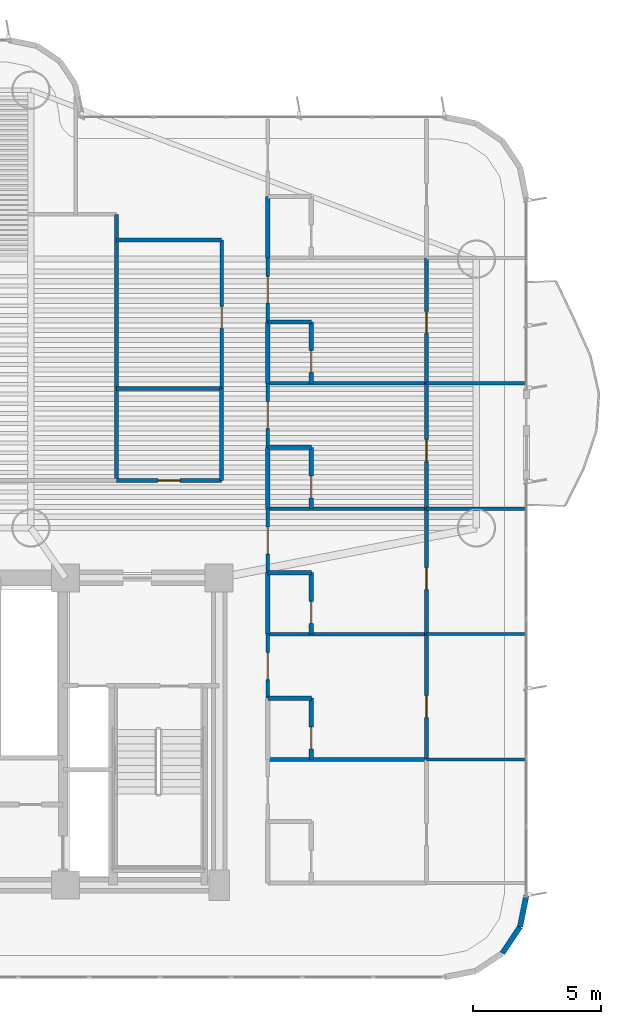
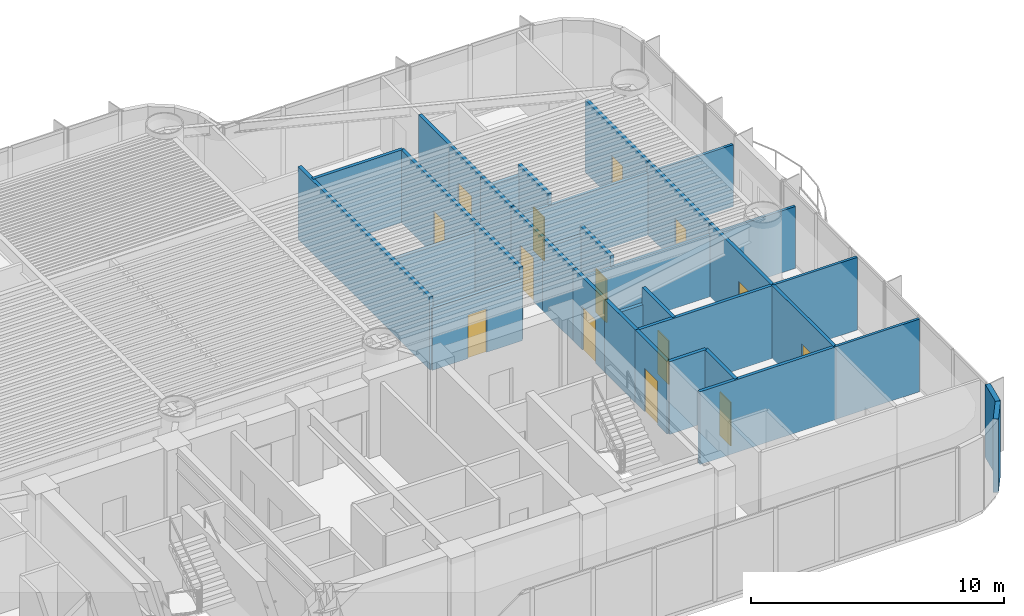
# One storey, part 13 of 19: 36 walls, 14 doors, 14 openings.
"""IFC4 building model written with IfcOpenShell, lengths in metres."""

from ifc_helpers import new_model, si_unit, direction, frame, frame_2d, origin, origin_2d, place, context, subcontext, project, spatial, rectangle, extrude, source, transform, mapped, material, layer, layer_set, type_object, element, fill, save


model = new_model("IFC4")

# Units and contexts
model_context = context("Model", 3, precision=1e-05, world=origin(), true_north=direction((0.0, 1.0)))
body_context = subcontext(model_context, "Body", "Model", "MODEL_VIEW")
ifc_project = project(units=[si_unit("LENGTHUNIT", "METRE"), si_unit("AREAUNIT", "SQUARE_METRE"), si_unit("VOLUMEUNIT", "CUBIC_METRE"), si_unit("PLANEANGLEUNIT", "RADIAN"), si_unit("MASSUNIT", "GRAM", prefix="KILO")], contexts=[model_context])

# Site, building, storey
site_placement = place(None, origin())
site = spatial("IfcSite", under=ifc_project, at=site_placement, CompositionType="ELEMENT")
building_placement = place(site_placement, origin())
building = spatial("IfcBuilding", under=site, at=building_placement, Name="Brelvock Crest Care Tower", CompositionType="ELEMENT")
storey_placement = place(building_placement, frame((0.0, 0.0, 64.800048828125)))
storey = spatial("IfcBuildingStorey", under=building, at=storey_placement, Name="L16", CompositionType="ELEMENT", Elevation=64.800048828125)

# Walls
ifc_material_1 = material(Name="Precast concrete N40 (40 MPa)", Category="concrete")
ifc_layer_1 = layer(ifc_material_1, 0.215087890625, Name="WL-EX2")
ifc_layer_set_1 = layer_set([ifc_layer_1], Name="Precast concrete N40 (40 MPa)")
wall_type_1 = type_object("IfcWallType", Name="WL-EX2", PredefinedType="SOLIDWALL", material=ifc_layer_set_1)
for number, where, z_axis, x_axis, name in (
    (1, (60.0, 5.60009765625, 0.0), (0.0, 0.0, 1.0), (-0.195138390419, -0.980775717779, 0.0), "L16 Rounded Corner Wall 04"),
    (2, (59.75634765625, 4.37548828125, 0.0), (0.0, 0.0, 1.0), (-0.555557312883, -0.831478245117, 0.0), "L16 Rounded Corner Wall 05"),
):
    element("IfcWall", number, at=place(storey_placement, frame(where, z_axis=z_axis, x_axis=x_axis)), inside=storey, type_object=wall_type_1, Name=name, PredefinedType="SOLIDWALL", context=body_context, shape_type="SweptSolid", body=[
        extrude(rectangle(XDim=1.24853515625, YDim=0.215087890625, at=frame_2d((0.624267578125, 0.0))), origin(), (0.0, 0.0, 1.0), 3.530029296875),
    ])
ifc_material_2 = material(Name="Masonry Blockwork Acoustic Partition", Category="masonry")
ifc_layer_2 = layer(ifc_material_2, 0.14990234375, Name="WL-INT1")
ifc_layer_set_2 = layer_set([ifc_layer_2], Name="Masonry Blockwork Acoustic Partition")
wall_type_2 = type_object("IfcWallType", Name="WL-INT1", PredefinedType="PARTITIONING", material=ifc_layer_set_2)
for number, where, z_axis, x_axis, name in (
    (3, (49.89990234375, 10.89990234375, 0.0), (0.0, 0.0, 1.0), (1.0, 0.0, 0.0), "L16 Interior Wall WL-BX-L16-CS-EC1-N"),
    (4, (49.89990234375, 15.800048828125, 0.0), (0.0, 0.0, 1.0), (1.0, 0.0, 0.0), "L16 Interior Wall WL-BX-L16-CS-EC2-N"),
):
    element("IfcWall", number, at=place(storey_placement, frame(where, z_axis=z_axis, x_axis=x_axis)), inside=storey, type_object=wall_type_2, Name=name, PredefinedType="PARTITIONING", context=body_context, shape_type="SweptSolid", body=[
        extrude(rectangle(XDim=6.2001953125, YDim=0.14990234375, at=frame_2d((3.10009765625, 0.0))), origin(), (0.0, 0.0, 1.0), 3.5),
    ])
for number, where, z_axis, x_axis, name in (
    (5, (49.89990234375, 20.699951171875, 0.0), (0.0, 0.0, 1.0), (1.0, 0.0, 0.0), "L16 Interior Wall WL-BX-L16-CS-EC3-N"),
    (6, (49.89990234375, 25.60009765625, 0.0), (0.0, 0.0, 1.0), (1.0, 0.0, 0.0), "L16 Interior Wall WL-BX-L16-CS-EC4-N"),
):
    element("IfcWall", number, at=place(storey_placement, frame(where, z_axis=z_axis, x_axis=x_axis)), inside=storey, type_object=wall_type_2, Name=name, PredefinedType="PARTITIONING", context=body_context, shape_type="SweptSolid", body=[
        extrude(rectangle(XDim=6.2001953125, YDim=0.14990234375, at=frame_2d((3.10009765625, 0.0))), origin(), (0.0, 0.0, 1.0), 2.98193359375),
    ])
wall_1_placement = place(storey_placement, frame((44.0, 31.199951171875, 0.0), z_axis=(0.0, 0.0, 1.0), x_axis=(1.0, 0.0, 0.0)))
element("IfcWall", 7, at=wall_1_placement, inside=storey, type_object=wall_type_2, Name="L16 Interior Wall WL-BX-L16-CKIT-N", PredefinedType="PARTITIONING", context=body_context, shape_type="SweptSolid", body=[
    extrude(rectangle(XDim=4.10009765625, YDim=0.14990234375, at=frame_2d((2.050048828125, 0.0))), origin(), (0.0, 0.0, 1.0), 3.5),
])

# Wall, opening, door
wall_2_placement = place(storey_placement, frame((48.10009765625, 25.39990234375, 0.0), z_axis=(0.0, 0.0, 1.0), x_axis=(0.0, 1.0, 0.0)))
wall_2 = element("IfcWall", 8, at=wall_2_placement, inside=storey, type_object=wall_type_2, Name="L16 Interior Wall WL-RM-L16-CKIT", PredefinedType="PARTITIONING", context=body_context, shape_type="SweptSolid", body=[
    extrude(rectangle(XDim=5.800048828125, YDim=0.14990234375, at=frame_2d((2.89990234375, 0.0))), origin(), (0.0, 0.0, 1.0), 3.5),
])
opening_1_placement = place(wall_2_placement, frame((2.340087890625, 0.0, 0.0)))
opening_1 = element("IfcOpeningElement", 9, at=opening_1_placement, cuts=wall_2, Name="Opening ID-1", PredefinedType="OPENING", context=body_context, shape_type="SweptSolid", body=[
    extrude(rectangle(XDim=0.860107421875, YDim=2.10009765625, at=origin_2d()), frame((0.43017578125, 0.0849609375, 1.050048828125), z_axis=(0.0, -1.0, 0.0), x_axis=(1.0, 0.0, 0.0)), (0.0, 0.0, 1.0), 0.169921875),
])
ifc_material_3 = material(Name="Engineered Hardwood Timber", Category="wood")
door_type_1 = type_object("IfcDoorType", Name="DR-INT1", OperationType="NOTDEFINED", PredefinedType="DOOR", material=ifc_material_3)
shared_shape_1 = source(origin(), body_context, "Body", "SweptSolid", [
    extrude(rectangle(XDim=0.860107421875, YDim=2.10009765625, at=origin_2d()), frame((0.43017578125, 0.02490234375, 1.050048828125), z_axis=(0.0, -1.0, 0.0), x_axis=(1.0, 0.0, 0.0)), (0.0, 0.0, 1.0), 0.050048828125),
])
door_1_placement = place(opening_1_placement, origin())
door_1 = element("IfcDoor", 10, at=door_1_placement, inside=storey, type_object=door_type_1, Name="L16 Neighbourhood Pantry Kitchen Door CKIT", OperationType="SINGLE_SWING_LEFT", OverallHeight=2.10009765625, OverallWidth=0.860107421875, PredefinedType="DOOR", context=body_context, shape_type="MappedRepresentation", body=[
    mapped(shared_shape_1, transform((0.0, 0.0, 0.0), x_axis=(1.0, 0.0, 0.0), y_axis=(0.0, 1.0, 0.0), z_axis=(0.0, 0.0, 1.0), scale=1.0)),
])
fill(opening_1, door_1)

wall_3_placement = place(storey_placement, frame((49.89990234375, 13.300048828125, 0.0), z_axis=(0.0, 0.0, 1.0), x_axis=(0.0, 1.0, 0.0)))
wall_3 = element("IfcWall", 11, at=wall_3_placement, inside=storey, type_object=wall_type_2, Name="L16 Interior Wall WL-CENT-L16-EC2", PredefinedType="PARTITIONING", context=body_context, shape_type="SweptSolid", body=[
    extrude(rectangle(XDim=2.5, YDim=0.14990234375, at=frame_2d((1.25, 0.0))), origin(), (0.0, 0.0, 1.0), 3.5),
])
opening_2_placement = place(wall_3_placement, frame((0.72998046875, 0.0, 0.0)))
opening_2 = element("IfcOpeningElement", 12, at=opening_2_placement, cuts=wall_3, Name="Opening CD-1", PredefinedType="OPENING", context=body_context, shape_type="SweptSolid", body=[
    extrude(rectangle(XDim=1.050048828125, YDim=2.10009765625, at=origin_2d()), frame((0.52490234375, 0.0849609375, 1.050048828125), z_axis=(0.0, -1.0, 0.0), x_axis=(1.0, 0.0, 0.0)), (0.0, 0.0, 1.0), 0.169921875),
])
door_type_2 = type_object("IfcDoorType", Name="DR-CARE1", OperationType="NOTDEFINED", PredefinedType="DOOR", material=ifc_material_3)
shared_shape_2 = source(origin(), body_context, "Body", "SweptSolid", [
    extrude(rectangle(XDim=1.050048828125, YDim=2.10009765625, at=origin_2d()), frame((0.52490234375, 0.02490234375, 1.050048828125), z_axis=(0.0, -1.0, 0.0), x_axis=(1.0, 0.0, 0.0)), (0.0, 0.0, 1.0), 0.050048828125),
])
door_2_placement = place(opening_2_placement, origin())
door_2 = element("IfcDoor", 13, at=door_2_placement, inside=storey, type_object=door_type_2, Name="L16 Care Suite Door EC2", OperationType="SINGLE_SWING_LEFT", OverallHeight=2.10009765625, OverallWidth=1.050048828125, PredefinedType="DOOR", context=body_context, shape_type="MappedRepresentation", body=[
    mapped(shared_shape_2, transform((0.0, 0.0, 0.0), x_axis=(1.0, 0.0, 0.0), y_axis=(0.0, 1.0, 0.0), z_axis=(0.0, 0.0, 1.0), scale=1.0)),
])
fill(opening_2, door_2)

wall_4_placement = place(storey_placement, frame((49.89990234375, 18.199951171875, 0.0), z_axis=(0.0, 0.0, 1.0), x_axis=(0.0, 1.0, 0.0)))
wall_4 = element("IfcWall", 14, at=wall_4_placement, inside=storey, type_object=wall_type_2, Name="L16 Interior Wall WL-CENT-L16-EC3", PredefinedType="PARTITIONING", context=body_context, shape_type="SweptSolid", body=[
    extrude(rectangle(XDim=2.5, YDim=0.14990234375, at=frame_2d((1.25, 0.0))), origin(), (0.0, 0.0, 1.0), 3.5),
])
opening_3_placement = place(wall_4_placement, frame((0.72998046875, 0.0, 0.0)))
opening_3 = element("IfcOpeningElement", 15, at=opening_3_placement, cuts=wall_4, Name="Opening CD-1", PredefinedType="OPENING", context=body_context, shape_type="SweptSolid", body=[
    extrude(rectangle(XDim=1.050048828125, YDim=2.10009765625, at=origin_2d()), frame((0.52490234375, 0.0849609375, 1.050048828125), z_axis=(0.0, -1.0, 0.0), x_axis=(1.0, 0.0, 0.0)), (0.0, 0.0, 1.0), 0.169921875),
])
door_3_placement = place(opening_3_placement, origin())
door_3 = element("IfcDoor", 16, at=door_3_placement, inside=storey, type_object=door_type_2, Name="L16 Care Suite Door EC3", OperationType="SINGLE_SWING_LEFT", OverallHeight=2.10009765625, OverallWidth=1.050048828125, PredefinedType="DOOR", context=body_context, shape_type="MappedRepresentation", body=[
    mapped(shared_shape_2, transform((0.0, 0.0, 0.0), x_axis=(1.0, 0.0, 0.0), y_axis=(0.0, 1.0, 0.0), z_axis=(0.0, 0.0, 1.0), scale=1.0)),
])
fill(opening_3, door_3)

wall_5_placement = place(storey_placement, frame((49.89990234375, 23.10009765625, 0.0), z_axis=(0.0, 0.0, 1.0), x_axis=(0.0, 1.0, 0.0)))
wall_5 = element("IfcWall", 17, at=wall_5_placement, inside=storey, type_object=wall_type_2, Name="L16 Interior Wall WL-CENT-L16-EC4", PredefinedType="PARTITIONING", context=body_context, shape_type="SweptSolid", body=[
    extrude(rectangle(XDim=2.5, YDim=0.14990234375, at=frame_2d((1.25, 0.0))), origin(), (0.0, 0.0, 1.0), 3.5),
])
opening_4_placement = place(wall_5_placement, frame((0.72998046875, 0.0, 0.0)))
opening_4 = element("IfcOpeningElement", 18, at=opening_4_placement, cuts=wall_5, Name="Opening CD-1", PredefinedType="OPENING", context=body_context, shape_type="SweptSolid", body=[
    extrude(rectangle(XDim=1.050048828125, YDim=2.10009765625, at=origin_2d()), frame((0.52490234375, 0.0849609375, 1.050048828125), z_axis=(0.0, -1.0, 0.0), x_axis=(1.0, 0.0, 0.0)), (0.0, 0.0, 1.0), 0.169921875),
])
door_4_placement = place(opening_4_placement, origin())
door_4 = element("IfcDoor", 19, at=door_4_placement, inside=storey, type_object=door_type_2, Name="L16 Care Suite Door EC4", OperationType="SINGLE_SWING_LEFT", OverallHeight=2.10009765625, OverallWidth=1.050048828125, PredefinedType="DOOR", context=body_context, shape_type="MappedRepresentation", body=[
    mapped(shared_shape_2, transform((0.0, 0.0, 0.0), x_axis=(1.0, 0.0, 0.0), y_axis=(0.0, 1.0, 0.0), z_axis=(0.0, 0.0, 1.0), scale=1.0)),
])
fill(opening_4, door_4)

wall_6_placement = place(storey_placement, frame((49.89990234375, 28.0, 0.0), z_axis=(0.0, 0.0, 1.0), x_axis=(0.0, 1.0, 0.0)))
wall_6 = element("IfcWall", 20, at=wall_6_placement, inside=storey, type_object=wall_type_2, Name="L16 Interior Wall WL-CENT-L16-EC5", PredefinedType="PARTITIONING", context=body_context, shape_type="SweptSolid", body=[
    extrude(rectangle(XDim=2.5, YDim=0.14990234375, at=frame_2d((1.25, 0.0))), origin(), (0.0, 0.0, 1.0), 3.5),
])
opening_5_placement = place(wall_6_placement, frame((0.72998046875, 0.0, 0.0)))
opening_5 = element("IfcOpeningElement", 21, at=opening_5_placement, cuts=wall_6, Name="Opening CD-1", PredefinedType="OPENING", context=body_context, shape_type="SweptSolid", body=[
    extrude(rectangle(XDim=1.050048828125, YDim=2.10009765625, at=origin_2d()), frame((0.52490234375, 0.0849609375, 1.050048828125), z_axis=(0.0, -1.0, 0.0), x_axis=(1.0, 0.0, 0.0)), (0.0, 0.0, 1.0), 0.169921875),
])
door_5_placement = place(opening_5_placement, origin())
door_5 = element("IfcDoor", 22, at=door_5_placement, inside=storey, type_object=door_type_2, Name="L16 Care Suite Door EC5", OperationType="SINGLE_SWING_LEFT", OverallHeight=2.10009765625, OverallWidth=1.050048828125, PredefinedType="DOOR", context=body_context, shape_type="MappedRepresentation", body=[
    mapped(shared_shape_2, transform((0.0, 0.0, 0.0), x_axis=(1.0, 0.0, 0.0), y_axis=(0.0, 1.0, 0.0), z_axis=(0.0, 0.0, 1.0), scale=1.0)),
])
fill(opening_5, door_5)

wall_7_placement = place(storey_placement, frame((56.10009765625, 10.89990234375, 0.0), z_axis=(0.0, 0.0, 1.0), x_axis=(0.0, 1.0, 0.0)))
wall_7 = element("IfcWall", 23, at=wall_7_placement, inside=storey, type_object=wall_type_2, Name="L16 Interior Wall WL-RM-L16-EC2S", PredefinedType="PARTITIONING", context=body_context, shape_type="SweptSolid", body=[
    extrude(rectangle(XDim=4.900146484375, YDim=0.14990234375, at=frame_2d((2.4501953125, 0.0))), origin(), (0.0, 0.0, 1.0), 3.5),
])
opening_6_placement = place(wall_7_placement, frame((1.639892578125, 0.0, 0.0)))
opening_6 = element("IfcOpeningElement", 24, at=opening_6_placement, cuts=wall_7, Name="Opening ID-1", PredefinedType="OPENING", context=body_context, shape_type="SweptSolid", body=[
    extrude(rectangle(XDim=0.860107421875, YDim=2.10009765625, at=origin_2d()), frame((0.43017578125, 0.0849609375, 1.050048828125), z_axis=(0.0, -1.0, 0.0), x_axis=(1.0, 0.0, 0.0)), (0.0, 0.0, 1.0), 0.169921875),
])
door_6_placement = place(opening_6_placement, origin())
door_6 = element("IfcDoor", 25, at=door_6_placement, inside=storey, type_object=door_type_1, Name="L16 Skilled Nursing Mobility Store Door EC2S", OperationType="SINGLE_SWING_LEFT", OverallHeight=2.10009765625, OverallWidth=0.860107421875, PredefinedType="DOOR", context=body_context, shape_type="MappedRepresentation", body=[
    mapped(shared_shape_1, transform((0.0, 0.0, 0.0), x_axis=(1.0, 0.0, 0.0), y_axis=(0.0, 1.0, 0.0), z_axis=(0.0, 0.0, 1.0), scale=1.0)),
])
fill(opening_6, door_6)

wall_8_placement = place(storey_placement, frame((56.10009765625, 15.800048828125, 0.0), z_axis=(0.0, 0.0, 1.0), x_axis=(0.0, 1.0, 0.0)))
wall_8 = element("IfcWall", 26, at=wall_8_placement, inside=storey, type_object=wall_type_2, Name="L16 Interior Wall WL-RM-L16-EC3S", PredefinedType="PARTITIONING", context=body_context, shape_type="SweptSolid", body=[
    extrude(rectangle(XDim=4.89990234375, YDim=0.14990234375, at=frame_2d((2.449951171875, 0.0))), origin(), (0.0, 0.0, 1.0), 3.5),
])
opening_7_placement = place(wall_8_placement, frame((1.739990234375, 0.0, 0.0)))
opening_7 = element("IfcOpeningElement", 27, at=opening_7_placement, cuts=wall_8, Name="Opening ID-1", PredefinedType="OPENING", context=body_context, shape_type="SweptSolid", body=[
    extrude(rectangle(XDim=0.860107421875, YDim=2.10009765625, at=origin_2d()), frame((0.43017578125, 0.0849609375, 1.050048828125), z_axis=(0.0, -1.0, 0.0), x_axis=(1.0, 0.0, 0.0)), (0.0, 0.0, 1.0), 0.169921875),
])
door_7_placement = place(opening_7_placement, origin())
door_7 = element("IfcDoor", 28, at=door_7_placement, inside=storey, type_object=door_type_1, Name="L16 Skilled Nursing Mobility Store Door EC3S", OperationType="SINGLE_SWING_LEFT", OverallHeight=2.10009765625, OverallWidth=0.860107421875, PredefinedType="DOOR", context=body_context, shape_type="MappedRepresentation", body=[
    mapped(shared_shape_1, transform((0.0, 0.0, 0.0), x_axis=(1.0, 0.0, 0.0), y_axis=(0.0, 1.0, 0.0), z_axis=(0.0, 0.0, 1.0), scale=1.0)),
])
fill(opening_7, door_7)

wall_9_placement = place(storey_placement, frame((56.10009765625, 20.699951171875, 0.0), z_axis=(0.0, 0.0, 1.0), x_axis=(0.0, 1.0, 0.0)))
wall_9 = element("IfcWall", 29, at=wall_9_placement, inside=storey, type_object=wall_type_2, Name="L16 Interior Wall WL-RM-L16-EC4S", PredefinedType="PARTITIONING", context=body_context, shape_type="SweptSolid", body=[
    extrude(rectangle(XDim=4.900146484375, YDim=0.14990234375, at=frame_2d((2.4501953125, 0.0))), origin(), (0.0, 0.0, 1.0), 3.5),
])
opening_8_placement = place(wall_9_placement, frame((1.840087890625, 0.0, 0.0)))
opening_8 = element("IfcOpeningElement", 30, at=opening_8_placement, cuts=wall_9, Name="Opening ID-1", PredefinedType="OPENING", context=body_context, shape_type="SweptSolid", body=[
    extrude(rectangle(XDim=0.860107421875, YDim=2.10009765625, at=origin_2d()), frame((0.43017578125, 0.0849609375, 1.050048828125), z_axis=(0.0, -1.0, 0.0), x_axis=(1.0, 0.0, 0.0)), (0.0, 0.0, 1.0), 0.169921875),
])
door_8_placement = place(opening_8_placement, origin())
door_8 = element("IfcDoor", 31, at=door_8_placement, inside=storey, type_object=door_type_1, Name="L16 Skilled Nursing Mobility Store Door EC4S", OperationType="SINGLE_SWING_LEFT", OverallHeight=2.10009765625, OverallWidth=0.860107421875, PredefinedType="DOOR", context=body_context, shape_type="MappedRepresentation", body=[
    mapped(shared_shape_1, transform((0.0, 0.0, 0.0), x_axis=(1.0, 0.0, 0.0), y_axis=(0.0, 1.0, 0.0), z_axis=(0.0, 0.0, 1.0), scale=1.0)),
])
fill(opening_8, door_8)

wall_10_placement = place(storey_placement, frame((56.10009765625, 25.60009765625, 0.0), z_axis=(0.0, 0.0, 1.0), x_axis=(0.0, 1.0, 0.0)))
wall_10 = element("IfcWall", 32, at=wall_10_placement, inside=storey, type_object=wall_type_2, Name="L16 Interior Wall WL-RM-L16-EC5S", PredefinedType="PARTITIONING", context=body_context, shape_type="SweptSolid", body=[
    extrude(rectangle(XDim=4.89990234375, YDim=0.14990234375, at=frame_2d((2.449951171875, 0.0))), origin(), (0.0, 0.0, 1.0), 3.5),
])
opening_9_placement = place(wall_10_placement, frame((1.93994140625, 0.0, 0.0)))
opening_9 = element("IfcOpeningElement", 33, at=opening_9_placement, cuts=wall_10, Name="Opening ID-1", PredefinedType="OPENING", context=body_context, shape_type="SweptSolid", body=[
    extrude(rectangle(XDim=0.860107421875, YDim=2.10009765625, at=origin_2d()), frame((0.43017578125, 0.0849609375, 1.050048828125), z_axis=(0.0, -1.0, 0.0), x_axis=(1.0, 0.0, 0.0)), (0.0, 0.0, 1.0), 0.169921875),
])
door_9_placement = place(opening_9_placement, origin())
door_9 = element("IfcDoor", 34, at=door_9_placement, inside=storey, type_object=door_type_1, Name="L16 Skilled Nursing Mobility Store Door EC5S", OperationType="SINGLE_SWING_LEFT", OverallHeight=2.10009765625, OverallWidth=0.860107421875, PredefinedType="DOOR", context=body_context, shape_type="MappedRepresentation", body=[
    mapped(shared_shape_1, transform((0.0, 0.0, 0.0), x_axis=(1.0, 0.0, 0.0), y_axis=(0.0, 1.0, 0.0), z_axis=(0.0, 0.0, 1.0), scale=1.0)),
])
fill(opening_9, door_9)

# Walls
ifc_material_4 = material(Name="Gypsum Plasterboard Partition", Category="gypsum")
ifc_layer_3 = layer(ifc_material_4, 0.1201171875, Name="WL-INT2")
ifc_layer_set_3 = layer_set([ifc_layer_3], Name="Gypsum Plasterboard Partition")
wall_type_3 = type_object("IfcWallType", Name="WL-INT2", PredefinedType="PARTITIONING", material=ifc_layer_set_3)
for number, where, z_axis, x_axis, name in (
    (35, (56.10009765625, 10.89990234375, 0.0), (0.0, 0.0, 1.0), (1.0, 0.0, 0.0), "L16 Interior Wall WL-BX-L16-EC1S-N"),
    (36, (56.10009765625, 15.800048828125, 0.0), (0.0, 0.0, 1.0), (1.0, 0.0, 0.0), "L16 Interior Wall WL-BX-L16-EC2S-N"),
):
    element("IfcWall", number, at=place(storey_placement, frame(where, z_axis=z_axis, x_axis=x_axis)), inside=storey, type_object=wall_type_3, Name=name, PredefinedType="PARTITIONING", context=body_context, shape_type="SweptSolid", body=[
        extrude(rectangle(XDim=3.81982421875, YDim=0.1201171875, at=frame_2d((1.909912109375, 0.0))), origin(), (0.0, 0.0, 1.0), 3.5),
    ])
for number, where, z_axis, x_axis, name in (
    (37, (56.10009765625, 20.699951171875, 0.0), (0.0, 0.0, 1.0), (1.0, 0.0, 0.0), "L16 Interior Wall WL-BX-L16-EC3S-N"),
    (38, (56.10009765625, 25.60009765625, 0.0), (0.0, 0.0, 1.0), (1.0, 0.0, 0.0), "L16 Interior Wall WL-BX-L16-EC4S-N"),
):
    element("IfcWall", number, at=place(storey_placement, frame(where, z_axis=z_axis, x_axis=x_axis)), inside=storey, type_object=wall_type_3, Name=name, PredefinedType="PARTITIONING", context=body_context, shape_type="SweptSolid", body=[
        extrude(rectangle(XDim=3.81982421875, YDim=0.1201171875, at=frame_2d((1.909912109375, 0.0))), origin(), (0.0, 0.0, 1.0), 2.98193359375),
    ])
ifc_layer_4 = layer(ifc_material_4, 0.159912109375, Name="WL-PLM1")
ifc_layer_set_4 = layer_set([ifc_layer_4], Name="Gypsum Plasterboard Partition")
wall_type_4 = type_object("IfcWallType", Name="WL-PLM1", PredefinedType="PLUMBINGWALL", material=ifc_layer_set_4)
wall_11_placement = place(storey_placement, frame((49.89990234375, 13.300048828125, 0.0), z_axis=(0.0, 0.0, 1.0), x_axis=(1.0, 0.0, 0.0)))
element("IfcWall", 39, at=wall_11_placement, inside=storey, type_object=wall_type_4, Name="L16 Interior Wall WL-CENS2-L16-EC2", PredefinedType="PLUMBINGWALL", context=body_context, shape_type="SweptSolid", body=[
    extrude(rectangle(XDim=1.7001953125, YDim=0.159912109375, at=frame_2d((0.85009765625, 0.0))), origin(), (0.0, 0.0, 1.0), 3.5),
])
wall_12_placement = place(storey_placement, frame((49.89990234375, 18.199951171875, 0.0), z_axis=(0.0, 0.0, 1.0), x_axis=(1.0, 0.0, 0.0)))
element("IfcWall", 40, at=wall_12_placement, inside=storey, type_object=wall_type_4, Name="L16 Interior Wall WL-CENS2-L16-EC3", PredefinedType="PLUMBINGWALL", context=body_context, shape_type="SweptSolid", body=[
    extrude(rectangle(XDim=1.7001953125, YDim=0.159912109375, at=frame_2d((0.85009765625, 0.0))), origin(), (0.0, 0.0, 1.0), 2.71484375),
])

# Wall, opening, door
wall_13_placement = place(storey_placement, frame((44.0, 21.800048828125, 0.0), z_axis=(0.0, 0.0, 1.0), x_axis=(1.0, 0.0, 0.0)))
wall_13 = element("IfcWall", 41, at=wall_13_placement, inside=storey, type_object=wall_type_4, Name="L16 Interior Wall WL-RM-L16-CAWC", PredefinedType="PLUMBINGWALL", context=body_context, shape_type="SweptSolid", body=[
    extrude(rectangle(XDim=4.10009765625, YDim=0.159912109375, at=frame_2d((2.050048828125, 0.0))), origin(), (0.0, 0.0, 1.0), 2.98193359375),
])
opening_10_placement = place(wall_13_placement, frame((1.6201171875, 0.0, 0.0)))
opening_10 = element("IfcOpeningElement", 42, at=opening_10_placement, cuts=wall_13, Name="Opening WD-1", PredefinedType="OPENING", context=body_context, shape_type="SweptSolid", body=[
    extrude(rectangle(XDim=0.860107421875, YDim=2.10009765625, at=origin_2d()), frame((0.43017578125, 0.08984375, 1.050048828125), z_axis=(0.0, -1.0, 0.0), x_axis=(1.0, 0.0, 0.0)), (0.0, 0.0, 1.0), 0.179931640625),
])
door_type_3 = type_object("IfcDoorType", Name="DR-WC1", OperationType="NOTDEFINED", PredefinedType="DOOR", material=ifc_material_3)
shared_shape_3 = source(origin(), body_context, "Body", "SweptSolid", [
    extrude(rectangle(XDim=0.860107421875, YDim=2.10009765625, at=origin_2d()), frame((0.43017578125, 0.02490234375, 1.050048828125), z_axis=(0.0, -1.0, 0.0), x_axis=(1.0, 0.0, 0.0)), (0.0, 0.0, 1.0), 0.050048828125),
])
door_10_placement = place(opening_10_placement, origin())
door_10 = element("IfcDoor", 43, at=door_10_placement, inside=storey, type_object=door_type_3, Name="L16 Floor Accessible WC Door CAWC", OperationType="SINGLE_SWING_LEFT", OverallHeight=2.10009765625, OverallWidth=0.860107421875, PredefinedType="DOOR", context=body_context, shape_type="MappedRepresentation", body=[
    mapped(shared_shape_3, transform((0.0, 0.0, 0.0), x_axis=(1.0, 0.0, 0.0), y_axis=(0.0, 1.0, 0.0), z_axis=(0.0, 0.0, 1.0), scale=1.0)),
])
fill(opening_10, door_10)

# Walls
wall_14_placement = place(storey_placement, frame((49.89990234375, 23.10009765625, 0.0), z_axis=(0.0, 0.0, 1.0), x_axis=(1.0, 0.0, 0.0)))
element("IfcWall", 44, at=wall_14_placement, inside=storey, type_object=wall_type_4, Name="L16 Interior Wall WL-CENS2-L16-EC4", PredefinedType="PLUMBINGWALL", context=body_context, shape_type="SweptSolid", body=[
    extrude(rectangle(XDim=1.7001953125, YDim=0.159912109375, at=frame_2d((0.85009765625, 0.0))), origin(), (0.0, 0.0, 1.0), 3.054931640625),
])
wall_15_placement = place(storey_placement, frame((44.0, 25.39990234375, 0.0), z_axis=(0.0, 0.0, 1.0), x_axis=(1.0, 0.0, 0.0)))
element("IfcWall", 45, at=wall_15_placement, inside=storey, type_object=wall_type_4, Name="L16 Interior Wall WL-BX-L16-CAWC-N", PredefinedType="PLUMBINGWALL", context=body_context, shape_type="SweptSolid", body=[
    extrude(rectangle(XDim=4.10009765625, YDim=0.159912109375, at=frame_2d((2.050048828125, 0.0))), origin(), (0.0, 0.0, 1.0), 3.054931640625),
])
wall_16_placement = place(storey_placement, frame((49.89990234375, 28.0, 0.0), z_axis=(0.0, 0.0, 1.0), x_axis=(1.0, 0.0, 0.0)))
element("IfcWall", 46, at=wall_16_placement, inside=storey, type_object=wall_type_4, Name="L16 Interior Wall WL-CENS2-L16-EC5", PredefinedType="PLUMBINGWALL", context=body_context, shape_type="SweptSolid", body=[
    extrude(rectangle(XDim=1.7001953125, YDim=0.159912109375, at=frame_2d((0.85009765625, 0.0))), origin(), (0.0, 0.0, 1.0), 2.98193359375),
])
wall_17_placement = place(storey_placement, frame((44.0, 21.800048828125, 0.0), z_axis=(0.0, 0.0, 1.0), x_axis=(0.0, 1.0, 0.0)))
element("IfcWall", 47, at=wall_17_placement, inside=storey, type_object=wall_type_4, Name="L16 Interior Wall WL-BX-L16-CNE-E", PredefinedType="PLUMBINGWALL", context=body_context, shape_type="SweptSolid", body=[
    extrude(rectangle(XDim=10.39990234375, YDim=0.159912109375, at=frame_2d((5.199951171875, 0.0))), origin(), (0.0, 0.0, 1.0), 3.5),
])
wall_18_placement = place(storey_placement, frame((48.10009765625, 21.800048828125, 0.0), z_axis=(0.0, 0.0, 1.0), x_axis=(0.0, 1.0, 0.0)))
element("IfcWall", 48, at=wall_18_placement, inside=storey, type_object=wall_type_4, Name="L16 Interior Wall WL-BX-L16-CAWC-E", PredefinedType="PLUMBINGWALL", context=body_context, shape_type="SweptSolid", body=[
    extrude(rectangle(XDim=3.599853515625, YDim=0.159912109375, at=frame_2d((1.7998046875, 0.0))), origin(), (0.0, 0.0, 1.0), 3.5),
])
wall_19_placement = place(storey_placement, frame((49.89990234375, 15.800048828125, 0.0), z_axis=(0.0, 0.0, 1.0), x_axis=(0.0, 1.0, 0.0)))
element("IfcWall", 49, at=wall_19_placement, inside=storey, type_object=wall_type_4, Name="L16 Interior Wall WL-CENS0-L16-EC3", PredefinedType="PLUMBINGWALL", context=body_context, shape_type="SweptSolid", body=[
    extrude(rectangle(XDim=2.39990234375, YDim=0.159912109375, at=frame_2d((1.199951171875, 0.0))), origin(), (0.0, 0.0, 1.0), 3.5),
])
wall_20_placement = place(storey_placement, frame((49.89990234375, 20.699951171875, 0.0), z_axis=(0.0, 0.0, 1.0), x_axis=(0.0, 1.0, 0.0)))
element("IfcWall", 50, at=wall_20_placement, inside=storey, type_object=wall_type_4, Name="L16 Interior Wall WL-CENS0-L16-EC4", PredefinedType="PLUMBINGWALL", context=body_context, shape_type="SweptSolid", body=[
    extrude(rectangle(XDim=2.400146484375, YDim=0.159912109375, at=frame_2d((1.2001953125, 0.0))), origin(), (0.0, 0.0, 1.0), 3.5),
])
for number, where, z_axis, x_axis, name in (
    (51, (49.89990234375, 25.60009765625, 0.0), (0.0, 0.0, 1.0), (0.0, 1.0, 0.0), "L16 Interior Wall WL-CENS0-L16-EC5"),
    (52, (49.89990234375, 30.5, 0.0), (0.0, 0.0, 1.0), (0.0, 1.0, 0.0), "L16 Interior Wall WL-CENS0-L16-EC6"),
):
    element("IfcWall", number, at=place(storey_placement, frame(where, z_axis=z_axis, x_axis=x_axis)), inside=storey, type_object=wall_type_4, Name=name, PredefinedType="PLUMBINGWALL", context=body_context, shape_type="SweptSolid", body=[
        extrude(rectangle(XDim=2.39990234375, YDim=0.159912109375, at=frame_2d((1.199951171875, 0.0))), origin(), (0.0, 0.0, 1.0), 3.5),
    ])

# Wall, opening, door
wall_21_placement = place(storey_placement, frame((51.60009765625, 10.89990234375, 0.0), z_axis=(0.0, 0.0, 1.0), x_axis=(0.0, 1.0, 0.0)))
wall_21 = element("IfcWall", 53, at=wall_21_placement, inside=storey, type_object=wall_type_4, Name="L16 Interior Wall WL-CENS1-L16-EC2", PredefinedType="PLUMBINGWALL", context=body_context, shape_type="SweptSolid", body=[
    extrude(rectangle(XDim=2.400146484375, YDim=0.159912109375, at=frame_2d((1.2001953125, 0.0))), origin(), (0.0, 0.0, 1.0), 3.5),
])
opening_11_placement = place(wall_21_placement, frame((0.419921875, 0.0, 0.0)))
opening_11 = element("IfcOpeningElement", 54, at=opening_11_placement, cuts=wall_21, Name="Opening WD-1", PredefinedType="OPENING", context=body_context, shape_type="SweptSolid", body=[
    extrude(rectangle(XDim=0.860107421875, YDim=2.10009765625, at=origin_2d()), frame((0.43017578125, 0.08984375, 1.050048828125), z_axis=(0.0, -1.0, 0.0), x_axis=(1.0, 0.0, 0.0)), (0.0, 0.0, 1.0), 0.179931640625),
])
door_11_placement = place(opening_11_placement, origin())
door_11 = element("IfcDoor", 55, at=door_11_placement, inside=storey, type_object=door_type_3, Name="L16 Care En-Suite Door EC2", OperationType="SINGLE_SWING_RIGHT", OverallHeight=2.10009765625, OverallWidth=0.860107421875, PredefinedType="DOOR", context=body_context, shape_type="MappedRepresentation", body=[
    mapped(shared_shape_3, transform((0.0, 0.0, 0.0), x_axis=(1.0, 0.0, 0.0), y_axis=(0.0, 1.0, 0.0), z_axis=(0.0, 0.0, 1.0), scale=1.0)),
])
fill(opening_11, door_11)

wall_22_placement = place(storey_placement, frame((51.60009765625, 15.800048828125, 0.0), z_axis=(0.0, 0.0, 1.0), x_axis=(0.0, 1.0, 0.0)))
wall_22 = element("IfcWall", 56, at=wall_22_placement, inside=storey, type_object=wall_type_4, Name="L16 Interior Wall WL-CENS1-L16-EC3", PredefinedType="PLUMBINGWALL", context=body_context, shape_type="SweptSolid", body=[
    extrude(rectangle(XDim=2.39990234375, YDim=0.159912109375, at=frame_2d((1.199951171875, 0.0))), origin(), (0.0, 0.0, 1.0), 3.5),
])
opening_12_placement = place(wall_22_placement, frame((0.419921875, 0.0, 0.0)))
opening_12 = element("IfcOpeningElement", 57, at=opening_12_placement, cuts=wall_22, Name="Opening WD-1", PredefinedType="OPENING", context=body_context, shape_type="SweptSolid", body=[
    extrude(rectangle(XDim=0.860107421875, YDim=2.10009765625, at=origin_2d()), frame((0.43017578125, 0.08984375, 1.050048828125), z_axis=(0.0, -1.0, 0.0), x_axis=(1.0, 0.0, 0.0)), (0.0, 0.0, 1.0), 0.179931640625),
])
door_12_placement = place(opening_12_placement, origin())
door_12 = element("IfcDoor", 58, at=door_12_placement, inside=storey, type_object=door_type_3, Name="L16 Care En-Suite Door EC3", OperationType="SINGLE_SWING_RIGHT", OverallHeight=2.10009765625, OverallWidth=0.860107421875, PredefinedType="DOOR", context=body_context, shape_type="MappedRepresentation", body=[
    mapped(shared_shape_3, transform((0.0, 0.0, 0.0), x_axis=(1.0, 0.0, 0.0), y_axis=(0.0, 1.0, 0.0), z_axis=(0.0, 0.0, 1.0), scale=1.0)),
])
fill(opening_12, door_12)

wall_23_placement = place(storey_placement, frame((51.60009765625, 20.699951171875, 0.0), z_axis=(0.0, 0.0, 1.0), x_axis=(0.0, 1.0, 0.0)))
wall_23 = element("IfcWall", 59, at=wall_23_placement, inside=storey, type_object=wall_type_4, Name="L16 Interior Wall WL-CENS1-L16-EC4", PredefinedType="PLUMBINGWALL", context=body_context, shape_type="SweptSolid", body=[
    extrude(rectangle(XDim=2.400146484375, YDim=0.159912109375, at=frame_2d((1.2001953125, 0.0))), origin(), (0.0, 0.0, 1.0), 3.5),
])
opening_13_placement = place(wall_23_placement, frame((0.419921875, 0.0, 0.0)))
opening_13 = element("IfcOpeningElement", 60, at=opening_13_placement, cuts=wall_23, Name="Opening WD-1", PredefinedType="OPENING", context=body_context, shape_type="SweptSolid", body=[
    extrude(rectangle(XDim=0.860107421875, YDim=2.10009765625, at=origin_2d()), frame((0.43017578125, 0.08984375, 1.050048828125), z_axis=(0.0, -1.0, 0.0), x_axis=(1.0, 0.0, 0.0)), (0.0, 0.0, 1.0), 0.179931640625),
])
door_13_placement = place(opening_13_placement, origin())
door_13 = element("IfcDoor", 61, at=door_13_placement, inside=storey, type_object=door_type_3, Name="L16 Care En-Suite Door EC4", OperationType="SINGLE_SWING_RIGHT", OverallHeight=2.10009765625, OverallWidth=0.860107421875, PredefinedType="DOOR", context=body_context, shape_type="MappedRepresentation", body=[
    mapped(shared_shape_3, transform((0.0, 0.0, 0.0), x_axis=(1.0, 0.0, 0.0), y_axis=(0.0, 1.0, 0.0), z_axis=(0.0, 0.0, 1.0), scale=1.0)),
])
fill(opening_13, door_13)

wall_24_placement = place(storey_placement, frame((51.60009765625, 25.60009765625, 0.0), z_axis=(0.0, 0.0, 1.0), x_axis=(0.0, 1.0, 0.0)))
wall_24 = element("IfcWall", 62, at=wall_24_placement, inside=storey, type_object=wall_type_4, Name="L16 Interior Wall WL-CENS1-L16-EC5", PredefinedType="PLUMBINGWALL", context=body_context, shape_type="SweptSolid", body=[
    extrude(rectangle(XDim=2.39990234375, YDim=0.159912109375, at=frame_2d((1.199951171875, 0.0))), origin(), (0.0, 0.0, 1.0), 3.5),
])
opening_14_placement = place(wall_24_placement, frame((0.419921875, 0.0, 0.0)))
opening_14 = element("IfcOpeningElement", 63, at=opening_14_placement, cuts=wall_24, Name="Opening WD-1", PredefinedType="OPENING", context=body_context, shape_type="SweptSolid", body=[
    extrude(rectangle(XDim=0.860107421875, YDim=2.10009765625, at=origin_2d()), frame((0.43017578125, 0.08984375, 1.050048828125), z_axis=(0.0, -1.0, 0.0), x_axis=(1.0, 0.0, 0.0)), (0.0, 0.0, 1.0), 0.179931640625),
])
door_14_placement = place(opening_14_placement, origin())
door_14 = element("IfcDoor", 64, at=door_14_placement, inside=storey, type_object=door_type_3, Name="L16 Care En-Suite Door EC5", OperationType="SINGLE_SWING_RIGHT", OverallHeight=2.10009765625, OverallWidth=0.860107421875, PredefinedType="DOOR", context=body_context, shape_type="MappedRepresentation", body=[
    mapped(shared_shape_3, transform((0.0, 0.0, 0.0), x_axis=(1.0, 0.0, 0.0), y_axis=(0.0, 1.0, 0.0), z_axis=(0.0, 0.0, 1.0), scale=1.0)),
])
fill(opening_14, door_14)

save(model, "model.ifc")
